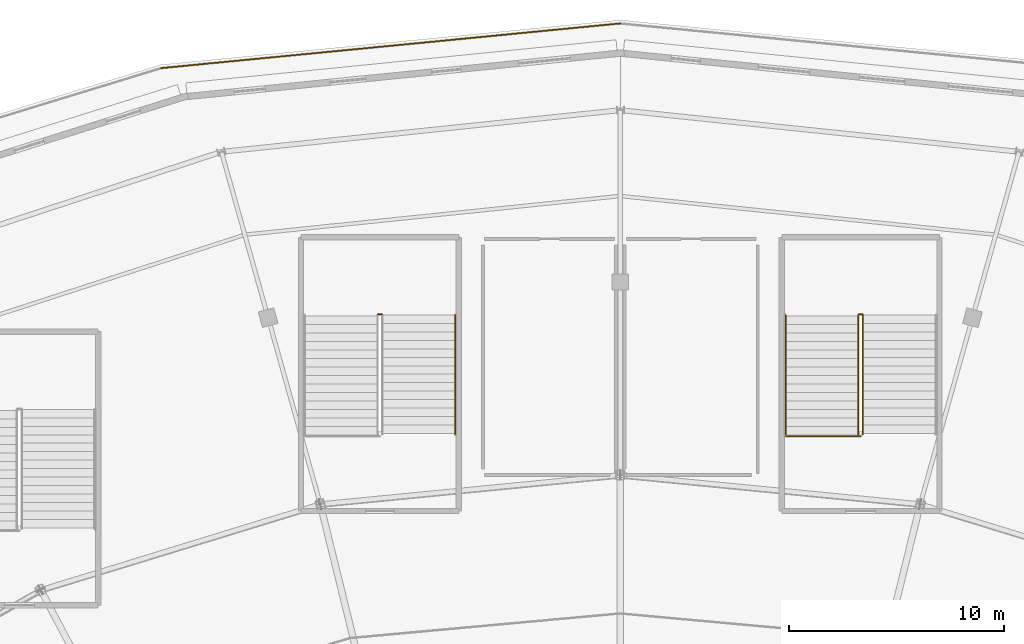
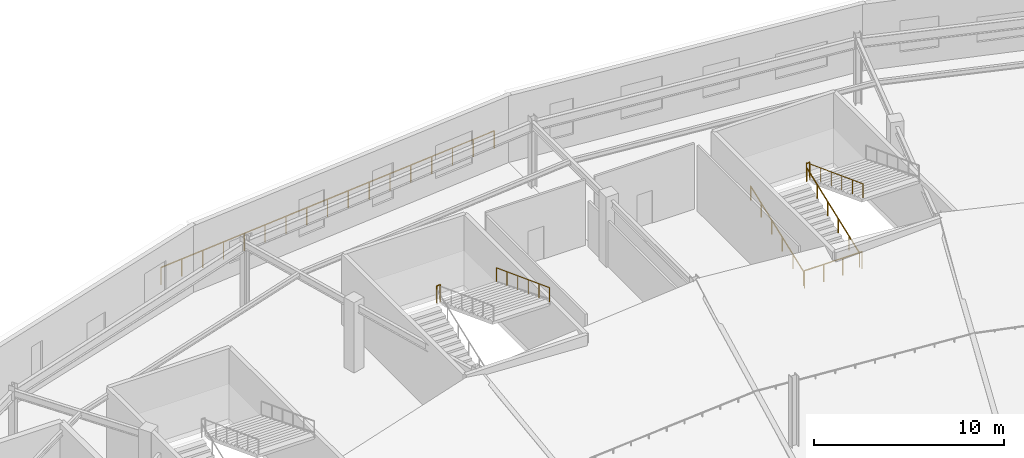
# One storey, part 57 of 63: 8 railings.
"""IFC4 building model written with IfcOpenShell, lengths in metres."""

from ifc_helpers import new_model, si_unit, direction, frame, origin, origin_2d, place, context, subcontext, project, spatial, circle, extrude, material, type_object, element, save


model = new_model("IFC4")

# Units and contexts
model_context = context("Model", 3, precision=1e-05, world=origin(), true_north=direction((0.0, 1.0)))
body_context = subcontext(model_context, "Body", "Model", "MODEL_VIEW")
ifc_project = project(units=[si_unit("LENGTHUNIT", "METRE"), si_unit("AREAUNIT", "SQUARE_METRE"), si_unit("VOLUMEUNIT", "CUBIC_METRE"), si_unit("PLANEANGLEUNIT", "RADIAN"), si_unit("MASSUNIT", "GRAM", prefix="KILO")], contexts=[model_context])

# Site, building, storey
site_placement = place(None, origin())
site = spatial("IfcSite", under=ifc_project, at=site_placement, CompositionType="ELEMENT")
building_placement = place(site_placement, origin())
building = spatial("IfcBuilding", under=site, at=building_placement, Name="Kalgoora Escarpment Arena", CompositionType="ELEMENT")
storey_placement = place(building_placement, frame((0.0, 0.0, 14.39990234375)))
storey = spatial("IfcBuildingStorey", under=building, at=storey_placement, Name="L03", CompositionType="ELEMENT", Elevation=14.39990234375)

# Railings
ifc_material_1 = material(Name="Galvanised & powdercoated tubular steel", Category="steel")
railing_type_1 = type_object("IfcRailingType", Name="RAL-GUARD-1120", PredefinedType="GUARDRAIL", material=ifc_material_1)
railing_1_placement = place(storey_placement, frame((81.10009765625, 111.47998046875, 2.25)))
element("IfcRailing", 1, at=railing_1_placement, inside=storey, type_object=railing_type_1, Name="ST10 L03 half-landing well guard", PredefinedType="GUARDRAIL", context=body_context, shape_type="SweptSolid", body=[
    extrude(circle(Radius=0.02392578125, at=origin_2d()), frame((0.0, 0.0, 1.09619140625), z_axis=(1.0, 0.0, 0.0), x_axis=(0.0, 1.0, 0.0)), (0.0, 0.0, 1.0), 0.199951171875),
    extrude(circle(Radius=0.02099609375, at=origin_2d()), origin(), (0.0, 0.0, 1.0), 1.072021484375),
    extrude(circle(Radius=0.02099609375, at=origin_2d()), frame((0.199951171875, 0.0, 0.0)), (0.0, 0.0, 1.0), 1.072021484375),
])
railing_2_placement = place(storey_placement, frame((103.5048828125, 111.47998046875, 2.25)))
element("IfcRailing", 2, at=railing_2_placement, inside=storey, type_object=railing_type_1, Name="ST11 L03 half-landing well guard", PredefinedType="GUARDRAIL", context=body_context, shape_type="SweptSolid", body=[
    extrude(circle(Radius=0.02392578125, at=origin_2d()), frame((0.0, 0.0, 1.09619140625), z_axis=(1.0, 0.0, 0.0), x_axis=(0.0, 1.0, 0.0)), (0.0, 0.0, 1.0), 0.190185546875),
    extrude(circle(Radius=0.02099609375, at=origin_2d()), origin(), (0.0, 0.0, 1.0), 1.072021484375),
    extrude(circle(Radius=0.02099609375, at=origin_2d()), frame((0.190185546875, 0.0, 0.0)), (0.0, 0.0, 1.0), 1.072021484375),
])
railing_3_placement = place(storey_placement, frame((100.110107421875, 105.81005859375, 0.0)))
element("IfcRailing", 3, at=railing_3_placement, inside=storey, type_object=railing_type_1, Name="ST11 L03 floor landing well guard", PredefinedType="GUARDRAIL", context=body_context, shape_type="SweptSolid", body=[
    extrude(circle(Radius=0.02392578125, at=origin_2d()), frame((0.0, 0.0, 1.09619140625), z_axis=(1.0, 0.0, 0.0), x_axis=(0.0, 1.0, 0.0)), (0.0, 0.0, 1.0), 3.489990234375),
    extrude(circle(Radius=0.02099609375, at=origin_2d()), origin(), (0.0, 0.0, 1.0), 1.072021484375),
    extrude(circle(Radius=0.02099609375, at=origin_2d()), frame((1.163330078125, 0.0, 0.0)), (0.0, 0.0, 1.0), 1.072021484375),
    extrude(circle(Radius=0.02099609375, at=origin_2d()), frame((2.32666015625, 0.0, 0.0)), (0.0, 0.0, 1.0), 1.072021484375),
    extrude(circle(Radius=0.02099609375, at=origin_2d()), frame((3.489990234375, 0.0, 0.0)), (0.0, 0.0, 1.0), 1.072021484375),
])
ifc_material_2 = material(Name="Brushed stainless steel 316 handrail", Category="steel")
railing_type_2 = type_object("IfcRailingType", Name="RAL-HAND-920", PredefinedType="HANDRAIL", material=ifc_material_2)
railing_4_placement = place(storey_placement, frame((84.699951171875, 111.449951171875, 2.360107421875)))
element("IfcRailing", 4, at=railing_4_placement, inside=storey, type_object=railing_type_2, Name="ST10 L03 pitched stair handrail F2R", PredefinedType="HANDRAIL", context=body_context, shape_type="SweptSolid", body=[
    extrude(circle(Radius=0.02392578125, at=origin_2d()), frame((0.0, 0.0, 0.89599609375), z_axis=(0.0, -0.935492612948, 0.353346248203), x_axis=(1.0, 0.0, 0.0)), (0.0, 0.0, 1.0), 5.943359375),
    extrude(circle(Radius=0.02099609375, at=origin_2d()), origin(), (0.0, 0.0, 1.0), 0.871826171875),
    extrude(circle(Radius=0.02099609375, at=origin_2d()), frame((0.0, -1.112060546875, 0.419921875)), (0.0, 0.0, 1.0), 0.871826171875),
    extrude(circle(Radius=0.02099609375, at=origin_2d()), frame((0.0, -2.22412109375, 0.840087890625)), (0.0, 0.0, 1.0), 0.871826171875),
    extrude(circle(Radius=0.02099609375, at=origin_2d()), frame((0.0, -3.3359375, 1.260009765625)), (0.0, 0.0, 1.0), 0.871826171875),
    extrude(circle(Radius=0.02099609375, at=origin_2d()), frame((0.0, -4.447998046875, 1.68017578125)), (0.0, 0.0, 1.0), 0.871826171875),
    extrude(circle(Radius=0.02099609375, at=origin_2d()), frame((0.0, -5.56005859375, 2.10009765625)), (0.0, 0.0, 1.0), 0.871826171875),
])
for number, where, name in (
    (5, (100.10009765625, 105.889892578125, 0.110107421875), "ST11 L03 pitched stair handrail F1L"),
    (6, (103.4951171875, 105.889892578125, 0.110107421875), "ST11 L03 pitched stair handrail F1R"),
):
    element("IfcRailing", number, at=place(storey_placement, frame(where)), inside=storey, type_object=railing_type_2, Name=name, PredefinedType="HANDRAIL", context=body_context, shape_type="SweptSolid", body=[
        extrude(circle(Radius=0.02392578125, at=origin_2d()), frame((0.0, 0.0, 0.89599609375), z_axis=(0.0, 0.935492612948, 0.353346248203), x_axis=(-1.0, 0.0, 0.0)), (0.0, 0.0, 1.0), 5.943359375),
        extrude(circle(Radius=0.02099609375, at=origin_2d()), origin(), (0.0, 0.0, 1.0), 0.871826171875),
        extrude(circle(Radius=0.02099609375, at=origin_2d()), frame((0.0, 1.112060546875, 0.419921875)), (0.0, 0.0, 1.0), 0.871826171875),
        extrude(circle(Radius=0.02099609375, at=origin_2d()), frame((0.0, 2.22412109375, 0.840087890625)), (0.0, 0.0, 1.0), 0.871826171875),
        extrude(circle(Radius=0.02099609375, at=origin_2d()), frame((0.0, 3.3359375, 1.260009765625)), (0.0, 0.0, 1.0), 0.871826171875),
        extrude(circle(Radius=0.02099609375, at=origin_2d()), frame((0.0, 4.447998046875, 1.68017578125)), (0.0, 0.0, 1.0), 0.871826171875),
        extrude(circle(Radius=0.02099609375, at=origin_2d()), frame((0.0, 5.56005859375, 2.10009765625)), (0.0, 0.0, 1.0), 0.871826171875),
    ])
railing_5_placement = place(storey_placement, frame((103.705078125, 111.449951171875, 2.360107421875)))
element("IfcRailing", 7, at=railing_5_placement, inside=storey, type_object=railing_type_2, Name="ST11 L03 pitched stair handrail F2L", PredefinedType="HANDRAIL", context=body_context, shape_type="SweptSolid", body=[
    extrude(circle(Radius=0.02392578125, at=origin_2d()), frame((0.0, 0.0, 0.89599609375), z_axis=(0.0, -0.935492612948, 0.353346248203), x_axis=(1.0, 0.0, 0.0)), (0.0, 0.0, 1.0), 5.943359375),
    extrude(circle(Radius=0.02099609375, at=origin_2d()), origin(), (0.0, 0.0, 1.0), 0.871826171875),
    extrude(circle(Radius=0.02099609375, at=origin_2d()), frame((0.0, -1.112060546875, 0.419921875)), (0.0, 0.0, 1.0), 0.871826171875),
    extrude(circle(Radius=0.02099609375, at=origin_2d()), frame((0.0, -2.22412109375, 0.840087890625)), (0.0, 0.0, 1.0), 0.871826171875),
    extrude(circle(Radius=0.02099609375, at=origin_2d()), frame((0.0, -3.3359375, 1.260009765625)), (0.0, 0.0, 1.0), 0.871826171875),
    extrude(circle(Radius=0.02099609375, at=origin_2d()), frame((0.0, -4.447998046875, 1.68017578125)), (0.0, 0.0, 1.0), 0.871826171875),
    extrude(circle(Radius=0.02099609375, at=origin_2d()), frame((0.0, -5.56005859375, 2.10009765625)), (0.0, 0.0, 1.0), 0.871826171875),
])
ifc_material_3 = material(Name="Champagne anodised aluminium & laminated glass", Category="aluminium")
railing_type_3 = type_object("IfcRailingType", Name="RAL-TERR-1100", PredefinedType="GUARDRAIL", material=ifc_material_3)
railing_6_placement = place(storey_placement, frame((71.001220703125, 122.95703125, 0.0)))
element("IfcRailing", 8, at=railing_6_placement, inside=storey, type_object=railing_type_3, Name="Upper Planted Elliptical Garden Terrace perimeter guardrail 016", PredefinedType="GUARDRAIL", context=body_context, shape_type="SweptSolid", body=[
    extrude(circle(Radius=0.02392578125, at=origin_2d()), frame((0.0, 0.0, 1.09619140625), z_axis=(0.995298879649, 0.096851123738, 0.0), x_axis=(-0.096851123738, 0.995298879649, 0.0)), (0.0, 0.0, 1.0), 21.499755859375),
    extrude(circle(Radius=0.02099609375, at=origin_2d()), origin(), (0.0, 0.0, 1.0), 1.072021484375),
    extrude(circle(Radius=0.02099609375, at=origin_2d()), frame((1.33740234375, 0.130126953125, 0.0)), (0.0, 0.0, 1.0), 1.072021484375),
    extrude(circle(Radius=0.02099609375, at=origin_2d()), frame((2.6748046875, 0.26025390625, 0.0)), (0.0, 0.0, 1.0), 1.072021484375),
    extrude(circle(Radius=0.02099609375, at=origin_2d()), frame((4.01220703125, 0.390380859375, 0.0)), (0.0, 0.0, 1.0), 1.072021484375),
    extrude(circle(Radius=0.02099609375, at=origin_2d()), frame((5.349609375, 0.5205078125, 0.0)), (0.0, 0.0, 1.0), 1.072021484375),
    extrude(circle(Radius=0.02099609375, at=origin_2d()), frame((6.68701171875, 0.650634765625, 0.0)), (0.0, 0.0, 1.0), 1.072021484375),
    extrude(circle(Radius=0.02099609375, at=origin_2d()), frame((8.0244140625, 0.78076171875, 0.0)), (0.0, 0.0, 1.0), 1.072021484375),
    extrude(circle(Radius=0.02099609375, at=origin_2d()), frame((9.36181640625, 0.910888671875, 0.0)), (0.0, 0.0, 1.0), 1.072021484375),
    extrude(circle(Radius=0.02099609375, at=origin_2d()), frame((10.69921875, 1.041015625, 0.0)), (0.0, 0.0, 1.0), 1.072021484375),
    extrude(circle(Radius=0.02099609375, at=origin_2d()), frame((12.036865234375, 1.17138671875, 0.0)), (0.0, 0.0, 1.0), 1.072021484375),
    extrude(circle(Radius=0.02099609375, at=origin_2d()), frame((13.374267578125, 1.301513671875, 0.0)), (0.0, 0.0, 1.0), 1.072021484375),
    extrude(circle(Radius=0.02099609375, at=origin_2d()), frame((14.711669921875, 1.431640625, 0.0)), (0.0, 0.0, 1.0), 1.072021484375),
    extrude(circle(Radius=0.02099609375, at=origin_2d()), frame((16.049072265625, 1.561767578125, 0.0)), (0.0, 0.0, 1.0), 1.072021484375),
    extrude(circle(Radius=0.02099609375, at=origin_2d()), frame((17.386474609375, 1.69189453125, 0.0)), (0.0, 0.0, 1.0), 1.072021484375),
    extrude(circle(Radius=0.02099609375, at=origin_2d()), frame((18.723876953125, 1.822021484375, 0.0)), (0.0, 0.0, 1.0), 1.072021484375),
    extrude(circle(Radius=0.02099609375, at=origin_2d()), frame((20.061279296875, 1.9521484375, 0.0)), (0.0, 0.0, 1.0), 1.072021484375),
    extrude(circle(Radius=0.02099609375, at=origin_2d()), frame((21.398681640625, 2.082275390625, 0.0)), (0.0, 0.0, 1.0), 1.072021484375),
])

save(model, "model.ifc")
